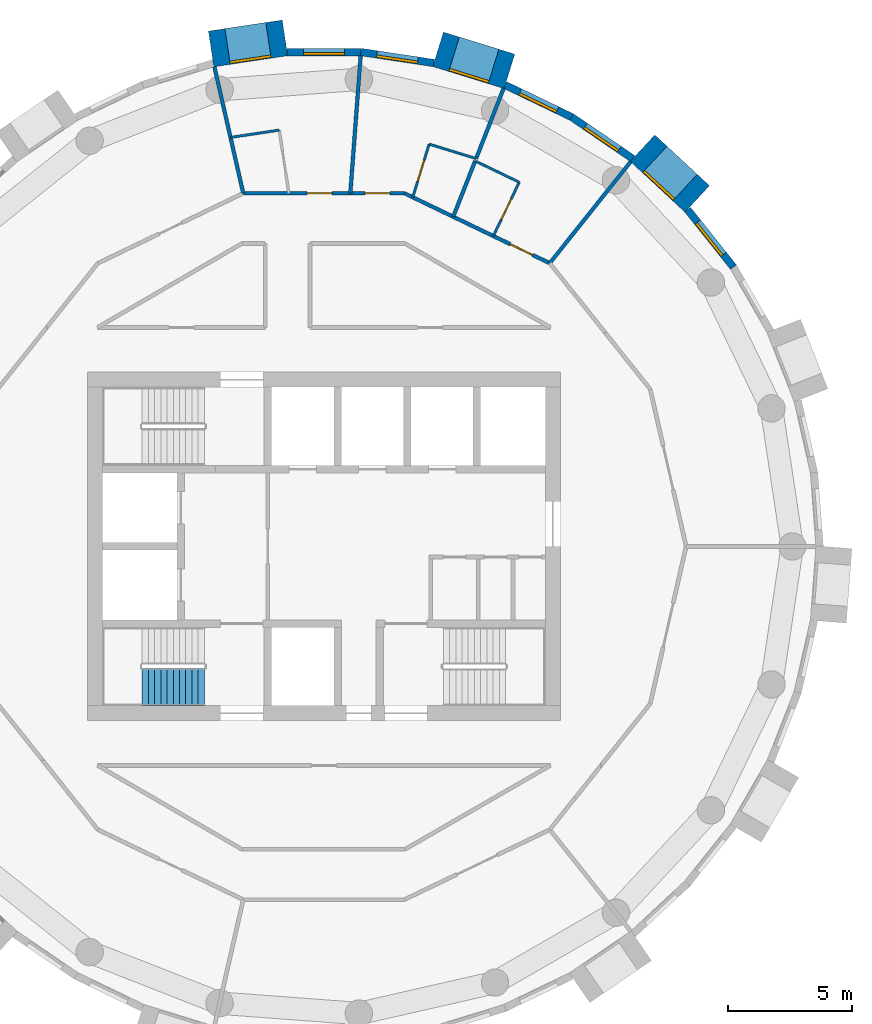
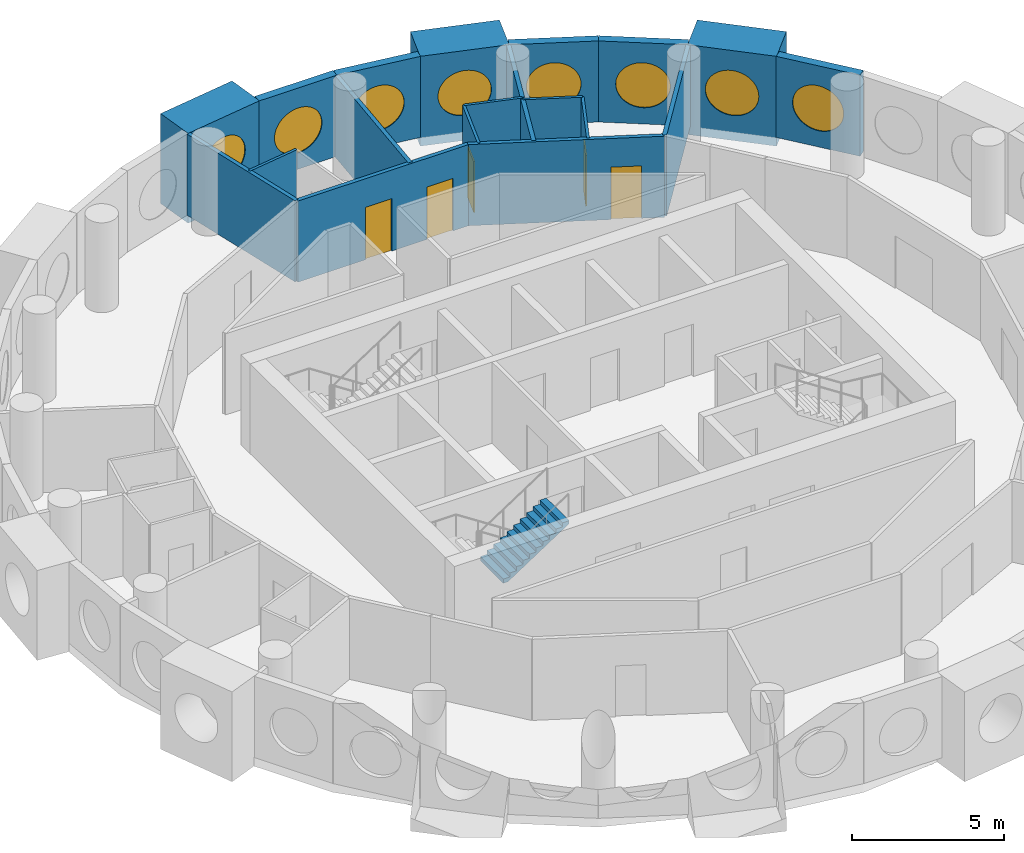
# One storey, part 10 of 12: 20 walls, 8 windows, 5 doors, 1 stair flight, 13 openings, 1 element without a shape of its own.
"""IFC4 building model written with IfcOpenShell, lengths in metres."""

from ifc_helpers import new_model, si_unit, direction, frame, frame_2d, origin, origin_2d, place, context, subcontext, project, spatial, polyline, rectangle, circle, outline, extrude, material, layer, layer_set, type_object, element, fill, aggregate, save


model = new_model("IFC4")

# Units and contexts
model_context = context("Model", 3, precision=1e-05, world=origin(), true_north=direction((0.0, 1.0)))
body_context = subcontext(model_context, "Body", "Model", "MODEL_VIEW")
ifc_project = project(units=[si_unit("LENGTHUNIT", "METRE"), si_unit("AREAUNIT", "SQUARE_METRE"), si_unit("VOLUMEUNIT", "CUBIC_METRE"), si_unit("PLANEANGLEUNIT", "RADIAN"), si_unit("MASSUNIT", "GRAM", prefix="KILO")], contexts=[model_context])

# Site, building, storey
site_placement = place(None, origin())
site = spatial("IfcSite", under=ifc_project, at=site_placement, CompositionType="ELEMENT")
building_placement = place(site_placement, origin())
building = spatial("IfcBuilding", under=site, at=building_placement, Name="Tracery Tower", CompositionType="ELEMENT")
storey_placement = place(building_placement, frame((0.0, 0.0, 245.39990234375)))
storey = spatial("IfcBuildingStorey", under=building, at=storey_placement, Name="L63", CompositionType="ELEMENT", Elevation=245.39990234375)

# Wall, opening, window
ifc_material_1 = material(Name="Precast concrete C50/60", Category="concrete")
ifc_layer_1 = layer(ifc_material_1, 1.449951171875)
ifc_layer_set_1 = layer_set([ifc_layer_1], Name="Deep-set bay unit 3000 x 3600, slab edge 350")
wall_type_1 = type_object("IfcWallType", Name="Deep-set bay unit 3000 x 3600, slab edge 350", PredefinedType="ELEMENTEDWALL", material=ifc_layer_set_1)
wall_1_placement = place(storey_placement, frame((15.0029296875, 13.964111328125, -0.349853515625), z_axis=(0.0, 0.0, 1.0), x_axis=(-0.733022439167, 0.680204457261, 0.0)))
wall_1 = element("IfcWall", 1, at=wall_1_placement, inside=storey, type_object=wall_type_1, Name="Deep-set bay unit 6 at L63", PredefinedType="ELEMENTEDWALL", context=body_context, shape_type="SweptSolid", body=[
    extrude(rectangle(XDim=2.999755859375, YDim=1.449951171875, at=frame_2d((1.5, 0.0))), origin(), (0.0, 0.0, 1.0), 3.599853515625),
])
opening_1_placement = place(wall_1_placement, frame((1.5, 0.0, 1.89990234375)))
opening_1 = element("IfcOpeningElement", 2, at=opening_1_placement, cuts=wall_1, Name="Opening WN1", PredefinedType="OPENING", context=body_context, shape_type="SweptSolid", body=[
    extrude(circle(Radius=0.9000244140625, at=origin_2d()), frame((0.0, 0.73486328125, 0.0), z_axis=(0.0, -1.0, 0.0), x_axis=(1.0, 0.0, 0.0)), (0.0, 0.0, 1.0), 1.469970703125),
])
ifc_material_2 = material(Name="Aluminium frame with tinted double glazing", Category="aluminium")
window_type = type_object("IfcWindowType", Name="Round window 1800", PartitioningType="SINGLE_PANEL", PredefinedType="WINDOW", material=ifc_material_2)
window_1_placement = place(opening_1_placement, origin())
window_1 = element("IfcWindow", 3, at=window_1_placement, inside=storey, type_object=window_type, Name="Round window 6 at L63", OverallHeight=1.800048828125, OverallWidth=1.800048828125, PartitioningType="SINGLE_PANEL", PredefinedType="WINDOW", context=body_context, shape_type="SweptSolid", body=[
    extrude(circle(Radius=0.9000244140625, at=origin_2d()), frame((0.0, 0.69482421875, 0.0), z_axis=(0.0, -1.0, 0.0), x_axis=(1.0, 0.0, 0.0)), (0.0, 0.0, 1.0), 0.10009765625),
])
fill(opening_1, window_1)

wall_2_placement = place(storey_placement, frame((7.45849609375, 19.0908203125, -0.349853515625), z_axis=(0.0, 0.0, 1.0), x_axis=(-0.955571139978, 0.294760574774, 0.0)))
wall_2 = element("IfcWall", 4, at=wall_2_placement, inside=storey, type_object=wall_type_1, Name="Deep-set bay unit 9 at L63", PredefinedType="ELEMENTEDWALL", context=body_context, shape_type="SweptSolid", body=[
    extrude(rectangle(XDim=3.0, YDim=1.449951171875, at=frame_2d((1.5, 0.0))), origin(), (0.0, 0.0, 1.0), 3.599853515625),
])
opening_2_placement = place(wall_2_placement, frame((1.5, 0.0, 1.89990234375)))
opening_2 = element("IfcOpeningElement", 5, at=opening_2_placement, cuts=wall_2, Name="Opening WN1", PredefinedType="OPENING", context=body_context, shape_type="SweptSolid", body=[
    extrude(circle(Radius=0.9000244140625, at=origin_2d()), frame((0.0, 0.73486328125, 0.0), z_axis=(0.0, -1.0, 0.0), x_axis=(1.0, 0.0, 0.0)), (0.0, 0.0, 1.0), 1.469970703125),
])
window_2_placement = place(opening_2_placement, origin())
window_2 = element("IfcWindow", 6, at=window_2_placement, inside=storey, type_object=window_type, Name="Round window 9 at L63", OverallHeight=1.800048828125, OverallWidth=1.800048828125, PartitioningType="SINGLE_PANEL", PredefinedType="WINDOW", context=body_context, shape_type="SweptSolid", body=[
    extrude(circle(Radius=0.9000244140625, at=origin_2d()), frame((0.0, 0.69482421875, 0.0), z_axis=(0.0, -1.0, 0.0), x_axis=(1.0, 0.0, 0.0)), (0.0, 0.0, 1.0), 0.10009765625),
])
fill(opening_2, window_2)

wall_3_placement = place(storey_placement, frame((-1.563232421875, 20.436279296875, -0.349853515625), z_axis=(0.0, 0.0, 1.0), x_axis=(-0.988836445254, -0.149004981587, 0.0)))
wall_3 = element("IfcWall", 7, at=wall_3_placement, inside=storey, type_object=wall_type_1, Name="Deep-set bay unit 12 at L63", PredefinedType="ELEMENTEDWALL", context=body_context, shape_type="SweptSolid", body=[
    extrude(rectangle(XDim=3.0, YDim=1.449951171875, at=frame_2d((1.5, 0.0))), origin(), (0.0, 0.0, 1.0), 3.599853515625),
])
opening_3_placement = place(wall_3_placement, frame((1.5, 0.0, 1.89990234375)))
opening_3 = element("IfcOpeningElement", 8, at=opening_3_placement, cuts=wall_3, Name="Opening WN1", PredefinedType="OPENING", context=body_context, shape_type="SweptSolid", body=[
    extrude(circle(Radius=0.9000244140625, at=origin_2d()), frame((0.0, 0.73486328125, 0.0), z_axis=(0.0, -1.0, 0.0), x_axis=(1.0, 0.0, 0.0)), (0.0, 0.0, 1.0), 1.469970703125),
])
window_3_placement = place(opening_3_placement, origin())
window_3 = element("IfcWindow", 9, at=window_3_placement, inside=storey, type_object=window_type, Name="Round window 12 at L63", OverallHeight=1.800048828125, OverallWidth=1.800048828125, PartitioningType="SINGLE_PANEL", PredefinedType="WINDOW", context=body_context, shape_type="SweptSolid", body=[
    extrude(circle(Radius=0.9000244140625, at=origin_2d()), frame((0.0, 0.69482421875, 0.0), z_axis=(0.0, -1.0, 0.0), x_axis=(1.0, 0.0, 0.0)), (0.0, 0.0, 1.0), 0.10009765625),
])
fill(opening_3, window_3)

ifc_material_3 = material(Name="Precast concrete C50/60", Category="concrete")
ifc_layer_2 = layer(ifc_material_3, 0.300048828125)
ifc_layer_set_2 = layer_set([ifc_layer_2], Name="Facade panel 3000 x 3250")
wall_type_2 = type_object("IfcWallType", Name="Facade panel 3000 x 3250", PredefinedType="SOLIDWALL", material=ifc_layer_set_2)
wall_4_placement = place(storey_placement, frame((16.460205078125, 11.222412109375, 0.0), z_axis=(0.0, 0.0, 1.0), x_axis=(-0.623498236992, 0.781824755599, 0.0)))
wall_4 = element("IfcWall", 10, at=wall_4_placement, inside=storey, type_object=wall_type_2, Name="Facade panel 5 at L63", PredefinedType="SOLIDWALL", context=body_context, shape_type="SweptSolid", body=[
    extrude(rectangle(XDim=2.962158203125, YDim=0.300048828125, at=frame_2d((1.48095703125, 0.0))), origin(), (0.0, 0.0, 1.0), 3.25),
])
opening_4_placement = place(wall_4_placement, frame((1.48095703125, 0.0, 1.5498046875)))
opening_4 = element("IfcOpeningElement", 11, at=opening_4_placement, cuts=wall_4, Name="Opening WN1", PredefinedType="OPENING", context=body_context, shape_type="SweptSolid", body=[
    extrude(circle(Radius=0.9000244140625, at=origin_2d()), frame((0.0, 0.159912109375, 0.0), z_axis=(0.0, -1.0, 0.0), x_axis=(1.0, 0.0, 0.0)), (0.0, 0.0, 1.0), 0.320068359375),
])
window_4_placement = place(opening_4_placement, origin())
window_4 = element("IfcWindow", 12, at=window_4_placement, inside=storey, type_object=window_type, Name="Round window 5 at L63", OverallHeight=1.800048828125, OverallWidth=1.800048828125, PartitioningType="SINGLE_PANEL", PredefinedType="WINDOW", context=body_context, shape_type="SweptSolid", body=[
    extrude(circle(Radius=0.9000244140625, at=origin_2d()), frame((0.0, 0.1201171875, 0.0), z_axis=(0.0, -1.0, 0.0), x_axis=(1.0, 0.0, 0.0)), (0.0, 0.0, 1.0), 0.10009765625),
])
fill(opening_4, window_4)

wall_5_placement = place(storey_placement, frame((12.408447265625, 15.583984375, 0.0), z_axis=(0.0, 0.0, 1.0), x_axis=(-0.826236061068, 0.563324037646, 0.0)))
wall_5 = element("IfcWall", 13, at=wall_5_placement, inside=storey, type_object=wall_type_2, Name="Facade panel 7 at L63", PredefinedType="SOLIDWALL", context=body_context, shape_type="SweptSolid", body=[
    extrude(rectangle(XDim=2.962158203125, YDim=0.300048828125, at=frame_2d((1.48095703125, 0.0))), origin(), (0.0, 0.0, 1.0), 3.25),
])
opening_5_placement = place(wall_5_placement, frame((1.48095703125, 0.0, 1.5498046875)))
opening_5 = element("IfcOpeningElement", 14, at=opening_5_placement, cuts=wall_5, Name="Opening WN1", PredefinedType="OPENING", context=body_context, shape_type="SweptSolid", body=[
    extrude(circle(Radius=0.9000244140625, at=origin_2d()), frame((0.0, 0.159912109375, 0.0), z_axis=(0.0, -1.0, 0.0), x_axis=(1.0, 0.0, 0.0)), (0.0, 0.0, 1.0), 0.320068359375),
])
window_5_placement = place(opening_5_placement, origin())
window_5 = element("IfcWindow", 15, at=window_5_placement, inside=storey, type_object=window_type, Name="Round window 7 at L63", OverallHeight=1.800048828125, OverallWidth=1.800048828125, PartitioningType="SINGLE_PANEL", PredefinedType="WINDOW", context=body_context, shape_type="SweptSolid", body=[
    extrude(circle(Radius=0.9000244140625, at=origin_2d()), frame((0.0, 0.1201171875, 0.0), z_axis=(0.0, -1.0, 0.0), x_axis=(1.0, 0.0, 0.0)), (0.0, 0.0, 1.0), 0.10009765625),
])
fill(opening_5, window_5)

wall_6_placement = place(storey_placement, frame((9.9609375, 17.252685546875, 0.0), z_axis=(0.0, 0.0, 1.0), x_axis=(-0.90095513435, 0.433912255978, 0.0)))
wall_6 = element("IfcWall", 16, at=wall_6_placement, inside=storey, type_object=wall_type_2, Name="Facade panel 8 at L63", PredefinedType="SOLIDWALL", context=body_context, shape_type="SweptSolid", body=[
    extrude(rectangle(XDim=2.96240234375, YDim=0.300048828125, at=frame_2d((1.481201171875, 0.0))), origin(), (0.0, 0.0, 1.0), 3.25),
])
opening_6_placement = place(wall_6_placement, frame((1.48095703125, 0.0, 1.5498046875)))
opening_6 = element("IfcOpeningElement", 17, at=opening_6_placement, cuts=wall_6, Name="Opening WN1", PredefinedType="OPENING", context=body_context, shape_type="SweptSolid", body=[
    extrude(circle(Radius=0.9000244140625, at=origin_2d()), frame((0.0, 0.159912109375, 0.0), z_axis=(0.0, -1.0, 0.0), x_axis=(1.0, 0.0, 0.0)), (0.0, 0.0, 1.0), 0.320068359375),
])
window_6_placement = place(opening_6_placement, origin())
window_6 = element("IfcWindow", 18, at=window_6_placement, inside=storey, type_object=window_type, Name="Round window 8 at L63", OverallHeight=1.800048828125, OverallWidth=1.800048828125, PartitioningType="SINGLE_PANEL", PredefinedType="WINDOW", context=body_context, shape_type="SweptSolid", body=[
    extrude(circle(Radius=0.9000244140625, at=origin_2d()), frame((0.0, 0.1201171875, 0.0), z_axis=(0.0, -1.0, 0.0), x_axis=(1.0, 0.0, 0.0)), (0.0, 0.0, 1.0), 0.10009765625),
])
fill(opening_6, window_6)

wall_7_placement = place(storey_placement, frame((4.41796875, 19.424560546875, 0.0), z_axis=(0.0, 0.0, 1.0), x_axis=(-0.988835775663, 0.149009425104, 0.0)))
wall_7 = element("IfcWall", 19, at=wall_7_placement, inside=storey, type_object=wall_type_2, Name="Facade panel 10 at L63", PredefinedType="SOLIDWALL", context=body_context, shape_type="SweptSolid", body=[
    extrude(rectangle(XDim=2.962158203125, YDim=0.300048828125, at=frame_2d((1.48095703125, 0.0))), origin(), (0.0, 0.0, 1.0), 3.25),
])
opening_7_placement = place(wall_7_placement, frame((1.48095703125, 0.0, 1.5498046875)))
opening_7 = element("IfcOpeningElement", 20, at=opening_7_placement, cuts=wall_7, Name="Opening WN1", PredefinedType="OPENING", context=body_context, shape_type="SweptSolid", body=[
    extrude(circle(Radius=0.9000244140625, at=origin_2d()), frame((0.0, 0.159912109375, 0.0), z_axis=(0.0, -1.0, 0.0), x_axis=(1.0, 0.0, 0.0)), (0.0, 0.0, 1.0), 0.320068359375),
])
window_7_placement = place(opening_7_placement, origin())
window_7 = element("IfcWindow", 21, at=window_7_placement, inside=storey, type_object=window_type, Name="Round window 10 at L63", OverallHeight=1.800048828125, OverallWidth=1.800048828125, PartitioningType="SINGLE_PANEL", PredefinedType="WINDOW", context=body_context, shape_type="SweptSolid", body=[
    extrude(circle(Radius=0.9000244140625, at=origin_2d()), frame((0.0, 0.1201171875, 0.0), z_axis=(0.0, -1.0, 0.0), x_axis=(1.0, 0.0, 0.0)), (0.0, 0.0, 1.0), 0.10009765625),
])
fill(opening_7, window_7)

wall_8_placement = place(storey_placement, frame((1.48876953125, 19.865966796875, 0.0), z_axis=(0.0, 0.0, 1.0), x_axis=(-1.0, 0.0, 0.0)))
wall_8 = element("IfcWall", 22, at=wall_8_placement, inside=storey, type_object=wall_type_2, Name="Facade panel 11 at L63", PredefinedType="SOLIDWALL", context=body_context, shape_type="SweptSolid", body=[
    extrude(rectangle(XDim=2.962158203125, YDim=0.300048828125, at=frame_2d((1.48095703125, 0.0))), origin(), (0.0, 0.0, 1.0), 3.25),
])
opening_8_placement = place(wall_8_placement, frame((1.48095703125, 0.0, 1.5498046875)))
opening_8 = element("IfcOpeningElement", 23, at=opening_8_placement, cuts=wall_8, Name="Opening WN1", PredefinedType="OPENING", context=body_context, shape_type="SweptSolid", body=[
    extrude(circle(Radius=0.9000244140625, at=origin_2d()), frame((0.0, 0.159912109375, 0.0), z_axis=(0.0, -1.0, 0.0), x_axis=(1.0, 0.0, 0.0)), (0.0, 0.0, 1.0), 0.320068359375),
])
window_8_placement = place(opening_8_placement, origin())
window_8 = element("IfcWindow", 24, at=window_8_placement, inside=storey, type_object=window_type, Name="Round window 11 at L63", OverallHeight=1.800048828125, OverallWidth=1.800048828125, PartitioningType="SINGLE_PANEL", PredefinedType="WINDOW", context=body_context, shape_type="SweptSolid", body=[
    extrude(circle(Radius=0.9000244140625, at=origin_2d()), frame((0.0, 0.1201171875, 0.0), z_axis=(0.0, -1.0, 0.0), x_axis=(1.0, 0.0, 0.0)), (0.0, 0.0, 1.0), 0.10009765625),
])
fill(opening_8, window_8)

# Wall, opening, door
ifc_material_4 = material(Name="Plasterboard on steel studs", Category="steel")
ifc_layer_3 = layer(ifc_material_4, 0.10009765625)
ifc_layer_set_3 = layer_set([ifc_layer_3], Name="Partition 100 wet wall")
wall_type_3 = type_object("IfcWallType", Name="Partition 100 wet wall", PredefinedType="PARTITIONING", material=ifc_layer_set_3)
wall_9_placement = place(storey_placement, frame((6.80908203125, 12.472900390625, 0.0), z_axis=(0.0, 0.0, 1.0), x_axis=(0.433815618773, 0.901001669759, 0.0)))
wall_9 = element("IfcWall", 25, at=wall_9_placement, inside=storey, type_object=wall_type_3, Name="Wet wall RC2-045", PredefinedType="PARTITIONING", context=body_context, shape_type="SweptSolid", body=[
    extrude(rectangle(XDim=2.399658203125, YDim=0.10009765625, at=frame_2d((1.19970703125, 0.0))), origin(), (0.0, 0.0, 1.0), 3.25),
])
opening_9_placement = place(wall_9_placement, frame((0.75, 0.0, 0.0)))
opening_9 = element("IfcOpeningElement", 26, at=opening_9_placement, cuts=wall_9, Name="Opening RC2-05", PredefinedType="OPENING", context=body_context, shape_type="SweptSolid", body=[
    extrude(rectangle(XDim=0.89990234375, YDim=2.0400390625, at=frame_2d((0.449951171875, 1.02001953125))), frame((0.0, 0.050048828125, 0.0), z_axis=(0.0, -1.0, 0.0), x_axis=(1.0, 0.0, 0.0)), (0.0, 0.0, 1.0), 0.10009765625),
])
ifc_material_5 = material(Name="Timber door leaf", Category="wood")
door_type_1 = type_object("IfcDoorType", Name="Door en-suite 900", OperationType="NOTDEFINED", PredefinedType="DOOR", material=ifc_material_5)
door_1_placement = place(opening_9_placement, origin())
door_1 = element("IfcDoor", 27, at=door_1_placement, inside=storey, type_object=door_type_1, Name="En-suite door RC2-05", OperationType="SINGLE_SWING_RIGHT", OverallHeight=2.0400390625, OverallWidth=0.89990234375, PredefinedType="DOOR", context=body_context, shape_type="SweptSolid", body=[
    extrude(rectangle(XDim=0.89990234375, YDim=2.0400390625, at=frame_2d((0.449951171875, 1.02001953125))), frame((0.0, 0.02490234375, 0.0), z_axis=(0.0, -1.0, 0.0), x_axis=(1.0, 0.0, 0.0)), (0.0, 0.0, 1.0), 0.050048828125),
])
fill(opening_9, door_1)

# Walls
wall_10_placement = place(storey_placement, frame((6.0791015625, 15.488037109375, 0.0), z_axis=(0.0, 0.0, 1.0), x_axis=(0.900936932599, -0.433950047216, 0.0)))
element("IfcWall", 28, at=wall_10_placement, inside=storey, type_object=wall_type_3, Name="Wet wall RC2-046", PredefinedType="PARTITIONING", context=body_context, shape_type="SweptSolid", body=[
    extrude(rectangle(XDim=1.9658203125, YDim=0.10009765625, at=frame_2d((0.98291015625, 0.0))), origin(), (0.0, 0.0, 1.0), 3.25),
])
wall_11_placement = place(storey_placement, frame((4.23095703125, 16.166015625, 0.0), z_axis=(0.0, 0.0, 1.0), x_axis=(0.955671951668, -0.294433559219, 0.0)))
element("IfcWall", 29, at=wall_11_placement, inside=storey, type_object=wall_type_3, Name="Wet wall RC2-049", PredefinedType="PARTITIONING", context=body_context, shape_type="SweptSolid", body=[
    extrude(rectangle(XDim=1.973388671875, YDim=0.10009765625, at=frame_2d((0.98681640625, 0.0))), origin(), (0.0, 0.0, 1.0), 3.25),
])

# Wall, opening, door
wall_12_placement = place(storey_placement, frame((3.572021484375, 14.031982421875, 0.0), z_axis=(0.0, 0.0, 1.0), x_axis=(0.295030507093, 0.955487833457, 0.0)))
wall_12 = element("IfcWall", 30, at=wall_12_placement, inside=storey, type_object=wall_type_3, Name="Wet wall RC2-050", PredefinedType="PARTITIONING", context=body_context, shape_type="SweptSolid", body=[
    extrude(rectangle(XDim=2.2333984375, YDim=0.10009765625, at=frame_2d((1.11669921875, 0.0))), origin(), (0.0, 0.0, 1.0), 3.25),
])
opening_10_placement = place(wall_12_placement, frame((0.66650390625, 0.0, 0.0)))
opening_10 = element("IfcOpeningElement", 31, at=opening_10_placement, cuts=wall_12, Name="Opening RC2-07", PredefinedType="OPENING", context=body_context, shape_type="SweptSolid", body=[
    extrude(rectangle(XDim=0.89990234375, YDim=2.0400390625, at=frame_2d((0.449951171875, 1.02001953125))), frame((0.0, 0.050048828125, 0.0), z_axis=(0.0, -1.0, 0.0), x_axis=(1.0, 0.0, 0.0)), (0.0, 0.0, 1.0), 0.10009765625),
])
door_2_placement = place(opening_10_placement, origin())
door_2 = element("IfcDoor", 32, at=door_2_placement, inside=storey, type_object=door_type_1, Name="En-suite door RC2-07", OperationType="SINGLE_SWING_RIGHT", OverallHeight=2.0400390625, OverallWidth=0.89990234375, PredefinedType="DOOR", context=body_context, shape_type="SweptSolid", body=[
    extrude(rectangle(XDim=0.89990234375, YDim=2.0400390625, at=frame_2d((0.449951171875, 1.02001953125))), frame((0.0, 0.02490234375, 0.0), z_axis=(0.0, -1.0, 0.0), x_axis=(1.0, 0.0, 0.0)), (0.0, 0.0, 1.0), 0.050048828125),
])
fill(opening_10, door_2)

# Walls
wall_13_placement = place(storey_placement, frame((-3.7509765625, 16.43408203125, 0.0), z_axis=(0.0, 0.0, 1.0), x_axis=(0.988867580828, 0.148798210967, 0.0)))
element("IfcWall", 33, at=wall_13_placement, inside=storey, type_object=wall_type_3, Name="Wet wall RC2-053", PredefinedType="PARTITIONING", context=body_context, shape_type="SweptSolid", body=[
    extrude(rectangle(XDim=1.98193359375, YDim=0.10009765625, at=frame_2d((0.990966796875, 0.0))), origin(), (0.0, 0.0, 1.0), 3.25),
])
ifc_material_6 = material(Name="Plasterboard on steel studs", Category="steel")
ifc_layer_4 = layer(ifc_material_6, 0.14990234375)
ifc_layer_set_4 = layer_set([ifc_layer_4], Name="Partition 150 acoustic unit wall")
wall_type_4 = type_object("IfcWallType", Name="Partition 150 acoustic unit wall", PredefinedType="PARTITIONING", material=ifc_layer_set_4)
wall_14_placement = place(storey_placement, frame((9.075927734375, 11.381103515625, 0.0), z_axis=(0.0, 0.0, 1.0), x_axis=(0.623460949534, 0.781854490558, 0.0)))
element("IfcWall", 34, at=wall_14_placement, inside=storey, type_object=wall_type_4, Name="Unit wall RC2-043", PredefinedType="PARTITIONING", context=body_context, shape_type="SweptSolid", body=[
    extrude(rectangle(XDim=5.21435546875, YDim=0.14990234375, at=frame_2d((2.607177734375, 0.0))), origin(), (0.0, 0.0, 1.0), 3.25),
])
wall_15_placement = place(storey_placement, frame((6.115966796875, 15.5810546875, 0.0), z_axis=(0.0, 0.0, 1.0), x_axis=(0.364942529397, 0.931030047978, 0.0)))
element("IfcWall", 35, at=wall_15_placement, inside=storey, type_object=wall_type_4, Name="Unit wall RC2-047", PredefinedType="PARTITIONING", context=body_context, shape_type="SweptSolid", body=[
    extrude(rectangle(XDim=3.033203125, YDim=0.14990234375, at=frame_2d((1.5166015625, 0.0))), origin(), (0.0, 0.0, 1.0), 3.25),
])
wall_16_placement = place(storey_placement, frame((5.198974609375, 13.248046875, 0.0), z_axis=(0.0, 0.0, 1.0), x_axis=(0.365699450144, 0.930732997247, 0.0)))
element("IfcWall", 36, at=wall_16_placement, inside=storey, type_object=wall_type_4, Name="Unit wall RC2-048", PredefinedType="PARTITIONING", context=body_context, shape_type="SweptSolid", body=[
    extrude(rectangle(XDim=2.40673828125, YDim=0.14990234375, at=frame_2d((1.203369140625, 0.0))), origin(), (0.0, 0.0, 1.0), 3.25),
])
wall_17_placement = place(storey_placement, frame((1.06396484375, 14.19189453125, 0.0), z_axis=(0.0, 0.0, 1.0), x_axis=(0.074745027699, 0.997202677912, 0.0)))
element("IfcWall", 37, at=wall_17_placement, inside=storey, type_object=wall_type_4, Name="Unit wall RC2-051", PredefinedType="PARTITIONING", context=body_context, shape_type="SweptSolid", body=[
    extrude(rectangle(XDim=5.53955078125, YDim=0.14990234375, at=frame_2d((2.769775390625, 0.0))), origin(), (0.0, 0.0, 1.0), 3.25),
])
wall_18_placement = place(storey_placement, frame((-4.39990234375, 19.27587890625, 0.0), z_axis=(0.0, 0.0, 1.0), x_axis=(0.222612505682, -0.974907007008, 0.0)))
element("IfcWall", 38, at=wall_18_placement, inside=storey, type_object=wall_type_4, Name="Unit wall RC2-054", PredefinedType="PARTITIONING", context=body_context, shape_type="SweptSolid", body=[
    extrude(rectangle(XDim=5.21484375, YDim=0.14990234375, at=frame_2d((2.607421875, 0.0))), origin(), (0.0, 0.0, 1.0), 3.25),
])

# Wall, opening, door
ifc_material_7 = material(Name="Plasterboard on steel studs", Category="steel")
ifc_layer_5 = layer(ifc_material_7, 0.14990234375)
ifc_layer_set_5 = layer_set([ifc_layer_5], Name="Partition 150 corridor wall")
wall_type_5 = type_object("IfcWallType", Name="Partition 150 corridor wall", PredefinedType="PARTITIONING", material=ifc_layer_set_5)
wall_19_placement = place(storey_placement, frame((3.23828125, 14.190673828125, 0.0), z_axis=(0.0, 0.0, 1.0), x_axis=(0.901070942113, -0.433671716024, 0.0)))
wall_19 = element("IfcWall", 39, at=wall_19_placement, inside=storey, type_object=wall_type_5, Name="Corridor wall RC2-030", PredefinedType="PARTITIONING", context=body_context, shape_type="SweptSolid", body=[
    extrude(rectangle(XDim=6.478515625, YDim=0.14990234375, at=frame_2d((3.2392578125, 0.0))), origin(), (0.0, 0.0, 1.0), 3.25),
])
opening_11_placement = place(wall_19_placement, frame((4.71826171875, 0.0, 0.0)))
opening_11 = element("IfcOpeningElement", 40, at=opening_11_placement, cuts=wall_19, Name="Opening RC2-06", PredefinedType="OPENING", context=body_context, shape_type="SweptSolid", body=[
    extrude(rectangle(XDim=1.0, YDim=2.10009765625, at=frame_2d((0.5, 1.050048828125))), frame((0.0, 0.074951171875, 0.0), z_axis=(0.0, -1.0, 0.0), x_axis=(1.0, 0.0, 0.0)), (0.0, 0.0, 1.0), 0.14990234375),
])
ifc_material_8 = material(Name="Timber door leaf", Category="wood")
door_type_2 = type_object("IfcDoorType", Name="Door unit entrance 1000", OperationType="NOTDEFINED", PredefinedType="DOOR", material=ifc_material_8)
door_3_placement = place(opening_11_placement, origin())
door_3 = element("IfcDoor", 41, at=door_3_placement, inside=storey, type_object=door_type_2, Name="Unit entrance door RC2-06", OperationType="SINGLE_SWING_LEFT", OverallHeight=2.10009765625, OverallWidth=1.0, PredefinedType="DOOR", context=body_context, shape_type="SweptSolid", body=[
    extrude(rectangle(XDim=1.0, YDim=2.10009765625, at=frame_2d((0.5, 1.050048828125))), frame((0.0, 0.02490234375, 0.0), z_axis=(0.0, -1.0, 0.0), x_axis=(1.0, 0.0, 0.0)), (0.0, 0.0, 1.0), 0.050048828125),
])
fill(opening_11, door_3)

# Wall, openings, doors
wall_20_placement = place(storey_placement, frame((-3.239013671875, 14.19189453125, 0.0), z_axis=(0.0, 0.0, 1.0), x_axis=(1.0, 0.0, 0.0)))
wall_20 = element("IfcWall", 42, at=wall_20_placement, inside=storey, type_object=wall_type_5, Name="Corridor wall RC2-031", PredefinedType="PARTITIONING", context=body_context, shape_type="SweptSolid", body=[
    extrude(rectangle(XDim=6.47802734375, YDim=0.14990234375, at=frame_2d((3.239013671875, 0.0))), origin(), (0.0, 0.0, 1.0), 3.25),
])
opening_12_placement = place(wall_20_placement, frame((4.887939453125, 0.0, 0.0)))
opening_12 = element("IfcOpeningElement", 43, at=opening_12_placement, cuts=wall_20, Name="Opening RC2-08", PredefinedType="OPENING", context=body_context, shape_type="SweptSolid", body=[
    extrude(rectangle(XDim=1.0, YDim=2.10009765625, at=frame_2d((0.5, 1.050048828125))), frame((0.0, 0.074951171875, 0.0), z_axis=(0.0, -1.0, 0.0), x_axis=(1.0, 0.0, 0.0)), (0.0, 0.0, 1.0), 0.14990234375),
])
opening_13_placement = place(wall_20_placement, frame((2.56689453125, 0.0, 0.0)))
opening_13 = element("IfcOpeningElement", 44, at=opening_13_placement, cuts=wall_20, Name="Opening RC2-10", PredefinedType="OPENING", context=body_context, shape_type="SweptSolid", body=[
    extrude(rectangle(XDim=1.0, YDim=2.10009765625, at=frame_2d((0.5, 1.050048828125))), frame((0.0, 0.074951171875, 0.0), z_axis=(0.0, -1.0, 0.0), x_axis=(1.0, 0.0, 0.0)), (0.0, 0.0, 1.0), 0.14990234375),
])
door_4_placement = place(opening_12_placement, origin())
door_4 = element("IfcDoor", 45, at=door_4_placement, inside=storey, type_object=door_type_2, Name="Unit entrance door RC2-08", OperationType="SINGLE_SWING_LEFT", OverallHeight=2.10009765625, OverallWidth=1.0, PredefinedType="DOOR", context=body_context, shape_type="SweptSolid", body=[
    extrude(rectangle(XDim=1.0, YDim=2.10009765625, at=frame_2d((0.5, 1.050048828125))), frame((0.0, 0.02490234375, 0.0), z_axis=(0.0, -1.0, 0.0), x_axis=(1.0, 0.0, 0.0)), (0.0, 0.0, 1.0), 0.050048828125),
])
fill(opening_12, door_4)
door_5_placement = place(opening_13_placement, origin())
door_5 = element("IfcDoor", 46, at=door_5_placement, inside=storey, type_object=door_type_2, Name="Unit entrance door RC2-10", OperationType="SINGLE_SWING_RIGHT", OverallHeight=2.10009765625, OverallWidth=1.0, PredefinedType="DOOR", context=body_context, shape_type="SweptSolid", body=[
    extrude(rectangle(XDim=1.0, YDim=2.10009765625, at=frame_2d((0.5, 1.050048828125))), frame((0.0, 0.02490234375, 0.0), z_axis=(0.0, -1.0, 0.0), x_axis=(1.0, 0.0, 0.0)), (0.0, 0.0, 1.0), 0.050048828125),
])
fill(opening_13, door_5)

# Stair, stair flight
ifc_material_9 = material(Name="Concrete C32/40", Category="concrete")
stair_type = type_object("IfcStairType", Name="Core stair 22 risers", PredefinedType="HALF_TURN_STAIR", material=ifc_material_9)
stair_placement = place(storey_placement, origin())
stair = element("IfcStair", 47, at=stair_placement, inside=storey, type_object=stair_type, Name="L63 stair ST1", PredefinedType="HALF_TURN_STAIR")
ifc_material_10 = material(Name="Concrete C32/40", Category="concrete")
stair_flight_type = type_object("IfcStairFlightType", Name="Core stair flight 11 risers", PredefinedType="STRAIGHT", material=ifc_material_10)
stair_flight_placement = place(storey_placement, frame((-7.300048828125, -5.64990234375, 1.800048828125), z_axis=(0.0, 0.0, 1.0), x_axis=(1.0, 0.0, 0.0)))
stair_flight = element("IfcStairFlight", 48, at=stair_flight_placement, type_object=stair_flight_type, Name="ST1 flight 2", NumberOfRisers=11, NumberOfTreads=10, PredefinedType="STRAIGHT", RiserHeight=0.163636364, TreadLength=0.25, context=body_context, shape_type="SweptSolid", body=[
    extrude(outline(polyline([(0.0, 0.0), (0.0, 0.002685546875), (0.0, 0.00537109375), (0.0, 0.008056640625), (0.0, 0.0107421875), (0.0, 0.013427734375), (0.0, 0.01611328125), (0.0, 0.018798828125), (0.0, 0.021484375), (0.0, 0.024169921875), (0.0, 0.02685546875), (0.0, 0.029541015625), (0.0, 0.0322265625), (0.0, 0.034912109375), (0.0, 0.03759765625), (0.0, 0.040283203125), (0.0, 0.04296875), (0.0, 0.045654296875), (0.0, 0.04833984375), (0.0, 0.051025390625), (0.0, 0.0537109375), (0.0, 0.056396484375), (0.0, 0.05908203125), (0.0, 0.061767578125), (0.0, 0.064453125), (0.0, 0.067138671875), (0.0, 0.06982421875), (0.0, 0.072509765625), (0.0, 0.0751953125), (0.0, 0.077880859375), (0.0, 0.08056640625), (0.0, 0.083251953125), (0.0, 0.0859375), (0.0, 0.088623046875), (0.0, 0.09130859375), (0.0, 0.093994140625), (0.0, 0.0966796875), (0.0, 0.099365234375), (0.0, 0.10205078125), (0.0, 0.104736328125), (0.0, 0.107421875), (0.0, 0.10986328125), (0.0, 0.112548828125), (0.0, 0.115234375), (0.0, 0.117919921875), (0.0, 0.12060546875), (0.0, 0.123291015625), (0.0, 0.1259765625), (0.0, 0.128662109375), (0.0, 0.13134765625), (0.0, 0.134033203125), (0.0, 0.13671875), (0.0, 0.139404296875), (0.0, 0.14208984375), (0.0, 0.144775390625), (0.0, 0.1474609375), (0.0, 0.150146484375), (0.0, 0.15283203125), (0.0, 0.155517578125), (0.0, 0.158203125), (0.0, 0.160888671875), (0.0, 0.16357421875), (0.25, 0.16357421875), (0.25, 0.327392578125), (0.5, 0.327392578125), (0.5, 0.490966796875), (0.75, 0.490966796875), (0.75, 0.654541015625), (1.0, 0.654541015625), (1.0, 0.818115234375), (1.25, 0.818115234375), (1.25, 0.98193359375), (1.5, 0.98193359375), (1.5, 1.1455078125), (1.75, 1.1455078125), (1.75, 1.30908203125), (2.0, 1.30908203125), (2.0, 1.47265625), (2.25, 1.47265625), (2.25, 1.636474609375), (2.5, 1.636474609375), (2.5, 1.634521484375), (2.5, 1.63232421875), (2.5, 1.63037109375), (2.5, 1.62841796875), (2.5, 1.62646484375), (2.5, 1.62451171875), (2.5, 1.62255859375), (2.5, 1.62060546875), (2.5, 1.61865234375), (2.5, 1.61669921875), (2.5, 1.61474609375), (2.5, 1.61279296875), (2.5, 1.61083984375), (2.5, 1.60888671875), (2.5, 1.60693359375), (2.5, 1.60498046875), (2.5, 1.60302734375), (2.5, 1.60107421875), (2.5, 1.59912109375), (2.5, 1.59716796875), (2.5, 1.59521484375), (2.5, 1.59326171875), (2.5, 1.59130859375), (2.5, 1.58935546875), (2.5, 1.58740234375), (2.5, 1.58544921875), (2.5, 1.58349609375), (2.5, 1.58154296875), (2.5, 1.57958984375), (2.5, 1.57763671875), (2.5, 1.57568359375), (2.5, 1.573486328125), (2.5, 1.571533203125), (2.5, 1.569580078125), (2.5, 1.567626953125), (2.5, 1.565673828125), (2.5, 1.563720703125), (2.5, 1.561767578125), (2.5, 1.559814453125), (2.5, 1.557861328125), (2.5, 1.555908203125), (2.5, 1.553955078125), (2.5, 1.552001953125), (2.5, 1.550048828125), (2.5, 1.548095703125), (2.5, 1.546142578125), (2.5, 1.544189453125), (2.5, 1.542236328125), (2.5, 1.540283203125), (2.5, 1.538330078125), (2.5, 1.536376953125), (2.5, 1.534423828125), (2.5, 1.532470703125), (2.5, 1.530517578125), (2.5, 1.528564453125), (2.5, 1.526611328125), (2.5, 1.524658203125), (2.5, 1.522705078125), (2.5, 1.520751953125), (2.5, 1.518798828125), (2.5, 1.516845703125), (0.182861328125, 0.0), (0.0, 0.0)])), frame((0.0, 0.75, 0.0), z_axis=(0.0, -1.0, 0.0), x_axis=(1.0, 0.0, 0.0)), (0.0, 0.0, 1.0), 1.5),
])
aggregate(stair, [stair_flight])

save(model, "model.ifc")
